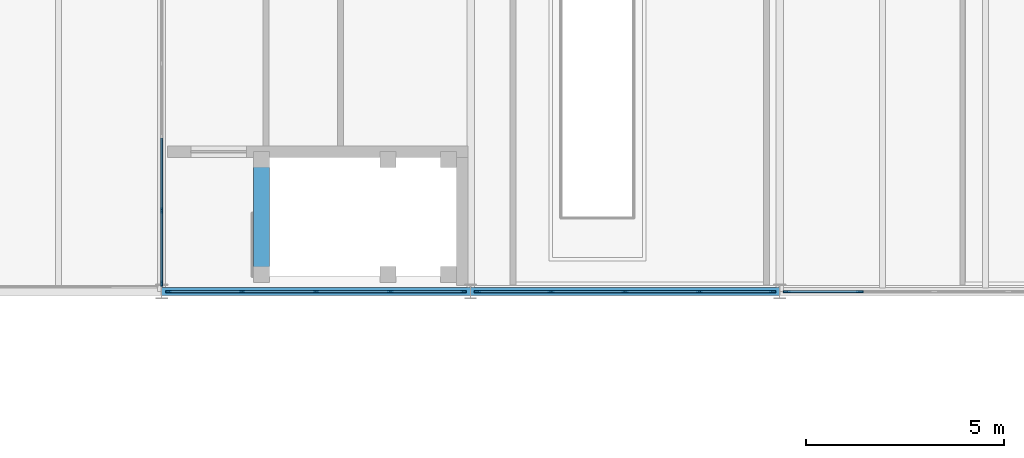
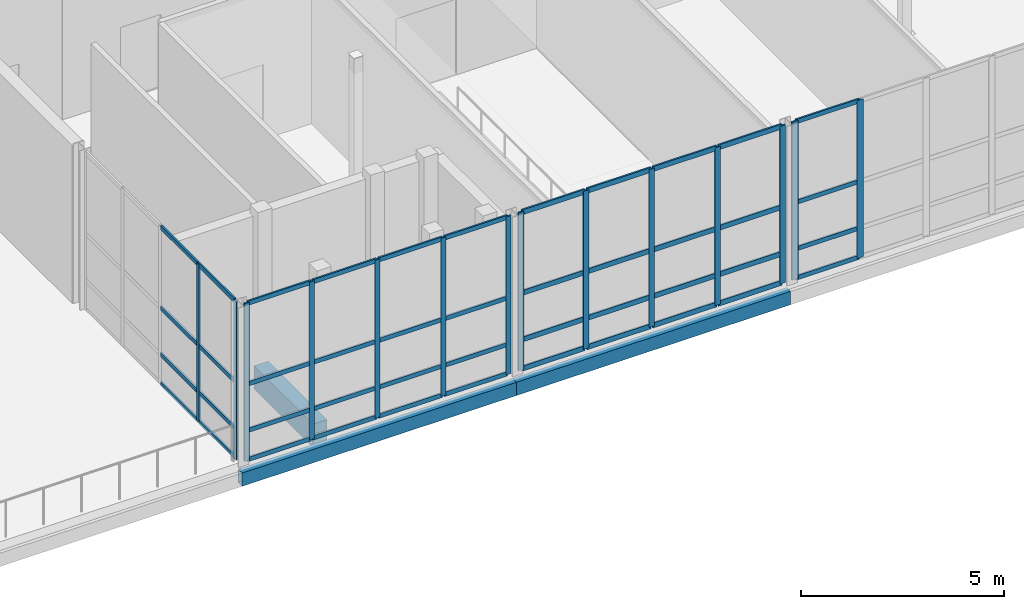
# One storey, part 63 of 138: 58 members, 3 beams, 4 elements without a shape of their own.
"""IFC4 building model written with IfcOpenShell, lengths in metres."""

import ifcopenshell
import ifcopenshell.guid

model = None  # the IFC model being written
_history = None  # IfcOwnerHistory: only IFC2X3 demands one
_inside = {}  # id of a spatial element -> (the spatial element, [elements in it])
_under = {}  # id of a project, library or spatial element -> (it, [spatial elements below it])
_declared = {}  # id of a project -> (the project, [libraries it declares])
_typed = {}  # id of a type object -> (the type object, [elements of that type])
_made_of = {}  # id of a material, layer set ... -> (it, [elements and type objects made of it])


def new_model(schema):
    """Start an empty IFC model of exactly this schema.

    Asked for "IFC4X3", IfcOpenShell would pick the latest addendum, in which some entities
    have other attributes; the version numbers below select the first issue.
    IFC2X3 requires an IfcOwnerHistory on every rooted entity: one is made here for all.
    """
    global model, _history
    if schema == "IFC4X3":
        model = ifcopenshell.file(schema_version=(4, 3, 0, 0))
    else:
        model = ifcopenshell.file(schema=schema)
    _inside.clear()
    _under.clear()
    _declared.clear()
    _typed.clear()
    _made_of.clear()
    _history = None
    if model.schema == "IFC2X3":
        org = make("IfcOrganization", Name="unknown")
        user = make(
            "IfcPersonAndOrganization",
            ThePerson=make("IfcPerson", FamilyName="unknown"),
            TheOrganization=org,
        )
        app = make(
            "IfcApplication",
            ApplicationDeveloper=org,
            Version="unknown",
            ApplicationFullName="unknown",
            ApplicationIdentifier="unknown",
        )
        _history = make(
            "IfcOwnerHistory",
            OwningUser=user,
            OwningApplication=app,
            ChangeAction="ADDED",
            CreationDate=0,
        )
    return model


def make(cls, **values):
    """One entity of the class cls with the attributes given. An attribute that is None is left unset."""
    return model.create_entity(
        cls, **{name: value for name, value in values.items() if value is not None}
    )


def rooted(cls, **values):
    """An entity with a GlobalId (a new one), such as an element, a storey or a relation."""
    return make(cls, GlobalId=ifcopenshell.guid.new(), OwnerHistory=_history, **values)


def si_unit(unit_type, name, prefix=None):
    """IfcSIUnit, for example si_unit("LENGTHUNIT", "METRE", prefix="MILLI")."""
    return make("IfcSIUnit", UnitType=unit_type, Prefix=prefix, Name=name)


def assignment(units):
    """IfcUnitAssignment: the units of a project."""
    return None if units is None else make("IfcUnitAssignment", Units=units)


def point(xyz):
    """IfcCartesianPoint."""
    return None if xyz is None else make("IfcCartesianPoint", Coordinates=xyz)


def direction(xyz):
    """IfcDirection."""
    return None if xyz is None else make("IfcDirection", DirectionRatios=xyz)


def frame(location, z_axis=None, x_axis=None):
    """IfcAxis2Placement3D, a coordinate frame: its origin and axes. An axis left out is left unset."""
    return make(
        "IfcAxis2Placement3D",
        Location=point(location),
        Axis=direction(z_axis),
        RefDirection=direction(x_axis),
    )


def frame_2d(location, x_axis=None):
    """IfcAxis2Placement2D, a coordinate frame in the plane: its origin and x axis."""
    return make(
        "IfcAxis2Placement2D", Location=point(location), RefDirection=direction(x_axis)
    )


def origin():
    """The frame at (0, 0, 0) with its axes left unset."""
    return frame((0.0, 0.0, 0.0))


def origin_2d():
    """The frame at (0, 0) in the plane with its x axis left unset."""
    return frame_2d((0.0, 0.0))


def place(relative_to, where):
    """IfcLocalPlacement: puts the frame where relative to a parent placement (None: the world)."""
    return make(
        "IfcLocalPlacement", PlacementRelTo=relative_to, RelativePlacement=where
    )


def context(
    kind, dimensions, precision=None, world=None, true_north=None, identifier=None
):
    """IfcGeometricRepresentationContext, for example the 3D "Model" context."""
    return make(
        "IfcGeometricRepresentationContext",
        ContextIdentifier=identifier,
        ContextType=kind,
        CoordinateSpaceDimension=dimensions,
        Precision=precision,
        WorldCoordinateSystem=world,
        TrueNorth=true_north,
    )


def subcontext(parent, identifier, kind, view, scale=None):
    """IfcGeometricRepresentationSubContext, for example "Body" below "Model"."""
    return make(
        "IfcGeometricRepresentationSubContext",
        ContextIdentifier=identifier,
        ContextType=kind,
        ParentContext=parent,
        TargetScale=scale,
        TargetView=view,
    )


def project(units=None, contexts=None):
    """IfcProject with its units and contexts."""
    return rooted(
        "IfcProject",
        Name="project",
        RepresentationContexts=contexts,
        UnitsInContext=assignment(units),
    )


def spatial(cls, under=None, at=None, **own):
    """A site, building, storey or space (cls), placed at a placement, below another one or the project."""
    s = rooted(cls, ObjectPlacement=at, **own)
    if under is not None:
        _under.setdefault(under.id(), (under, []))[1].append(s)
    return s


def profile(cls, at=None, kind="AREA", **sizes):
    """A parametric profile (cls). Its sizes go by their IFC names, for example OverallWidth=200.0."""
    return make(cls, ProfileType=kind, Position=at, **sizes)


def rectangle(**sizes):
    """IfcRectangleProfileDef."""
    return profile("IfcRectangleProfileDef", **sizes)


def hollow_rectangle(**sizes):
    """IfcRectangleHollowProfileDef."""
    return profile("IfcRectangleHollowProfileDef", **sizes)


def extrude(swept, where, along, depth):
    """IfcExtrudedAreaSolid: the profile swept, set in the frame where, extruded along a direction by depth."""
    return make(
        "IfcExtrudedAreaSolid",
        SweptArea=swept,
        Position=where,
        ExtrudedDirection=direction(along),
        Depth=depth,
    )


def shape(context_of_items, identifier, shape_type, items):
    """IfcShapeRepresentation: the items that make up one representation, for example the "Body"."""
    return make(
        "IfcShapeRepresentation",
        ContextOfItems=context_of_items,
        RepresentationIdentifier=identifier,
        RepresentationType=shape_type,
        Items=items,
    )


def material(Name=None, Category=None):
    """IfcMaterial."""
    return make("IfcMaterial", Name=Name, Category=Category)


def layer(
    of_material, thickness, ventilated=None, Name=None, Category=None, Priority=None
):
    """IfcMaterialLayer: one layer of a wall or slab, of a material (None: an air gap)."""
    return make(
        "IfcMaterialLayer",
        Material=of_material,
        LayerThickness=thickness,
        IsVentilated=ventilated,
        Name=Name,
        Category=Category,
        Priority=Priority,
    )


def layer_set(layers, Name=None):
    """IfcMaterialLayerSet."""
    return make("IfcMaterialLayerSet", MaterialLayers=layers, LayerSetName=Name)


def material_profile(
    of_material, cross_section, Name=None, Category=None, Priority=None
):
    """IfcMaterialProfile: a cross section and its material."""
    return make(
        "IfcMaterialProfile",
        Name=Name,
        Material=of_material,
        Profile=cross_section,
        Priority=Priority,
        Category=Category,
    )


def profile_set(profiles, Name=None, composite=None):
    """IfcMaterialProfileSet."""
    return make(
        "IfcMaterialProfileSet",
        Name=Name,
        MaterialProfiles=profiles,
        CompositeProfile=composite,
    )


def made_of(thing, what):
    """Note that an element or type object is made of a material, layer set ...; save() writes the relation."""
    if what is not None:
        _made_of.setdefault(what.id(), (what, []))[1].append(thing)
    return thing


def type_object(cls, material=None, **own):
    """A type object (cls), such as IfcWallType, which elements share."""
    return made_of(rooted(cls, **own), material)


def element(
    cls,
    number,
    at=None,
    inside=None,
    cuts=None,
    type_object=None,
    material=None,
    context=None,
    identifier="Body",
    shape_type=None,
    held_by="IfcProductDefinitionShape",
    body=None,
    shapes=None,
    **own,
):
    """One element of the class cls, such as IfcWall. Its Tag is "e" and its number.

    at: its placement. inside: the storey or other place that contains it. cuts: it is an
    opening in that element (IfcRelVoidsElement). A single representation is given by context,
    identifier, shape_type and body (its items); several are given by shapes. held_by: the class
    of the entity that holds the representations. save() writes the other relations.
    """
    e = rooted(cls, Tag="e%d" % number, ObjectPlacement=at, **own)
    if body is not None:
        shapes = [shape(context, identifier, shape_type, body)]
    if shapes is not None:
        e.Representation = make(held_by, Representations=shapes)
    if inside is not None:
        _inside.setdefault(inside.id(), (inside, []))[1].append(e)
    if cuts is not None:
        rooted(
            "IfcRelVoidsElement", RelatingBuildingElement=cuts, RelatedOpeningElement=e
        )
    if type_object is not None:
        _typed.setdefault(type_object.id(), (type_object, []))[1].append(e)
    return made_of(e, material)


def aggregate(whole, parts):
    """IfcRelAggregates: a whole, such as a stair, and the parts it consists of."""
    return rooted("IfcRelAggregates", RelatingObject=whole, RelatedObjects=parts)


def save(model, path):
    """Write the relations noted so far, then the file.

    IfcRelAggregates (storeys below a building ...), IfcRelContainedInSpatialStructure (elements
    in a storey), IfcRelDefinesByType, IfcRelAssociatesMaterial and IfcRelDeclares: one each for
    every whole, place, type object, material and project.
    """
    for whole, parts in _under.values():
        aggregate(whole, parts)
    for where, things in _inside.values():
        rooted(
            "IfcRelContainedInSpatialStructure",
            RelatedElements=things,
            RelatingStructure=where,
        )
    for kind, things in _typed.values():
        rooted("IfcRelDefinesByType", RelatedObjects=things, RelatingType=kind)
    for what, things in _made_of.values():
        rooted("IfcRelAssociatesMaterial", RelatedObjects=things, RelatingMaterial=what)
    for by, libraries in _declared.values():
        rooted("IfcRelDeclares", RelatingContext=by, RelatedDefinitions=libraries)
    model.write(path)


model = new_model("IFC4")

# Units and contexts
model_context = context("Model", 3, precision=1e-05, world=origin(), true_north=direction((0.0, 1.0)))
body_context = subcontext(model_context, "Body", "Model", "MODEL_VIEW")
ifc_project = project(units=[si_unit("LENGTHUNIT", "METRE"), si_unit("AREAUNIT", "SQUARE_METRE"), si_unit("VOLUMEUNIT", "CUBIC_METRE"), si_unit("PLANEANGLEUNIT", "RADIAN"), si_unit("MASSUNIT", "GRAM", prefix="KILO")], contexts=[model_context])

# Site, building, storey
site_placement = place(None, origin())
site = spatial("IfcSite", under=ifc_project, at=site_placement, CompositionType="ELEMENT")
building_placement = place(site_placement, origin())
building = spatial("IfcBuilding", under=site, at=building_placement, Name="Celorna Specialist Clinic", CompositionType="ELEMENT")
storey_placement = place(building_placement, frame((0.0, 0.0, 4.800048828125)))
storey = spatial("IfcBuildingStorey", under=building, at=storey_placement, Name="L01", CompositionType="ELEMENT", Elevation=4.800048828125)

# Beams
ifc_material_1 = material(Name="Steel S355", Category="steel")
ifc_material_profile_1 = material_profile(ifc_material_1, hollow_rectangle(XDim=0.199951171875, YDim=0.39990234375, WallThickness=0.011962890625, at=origin_2d()), Name="RHS 200x400x12")
ifc_profile_set_1 = profile_set([ifc_material_profile_1], Name="Steel S355")
beam_type_1 = type_object("IfcBeamType", Name="BM-15", PredefinedType="SPANDREL", material=ifc_profile_set_1)
beam_1_placement = place(storey_placement, frame((132.60009765625, 60.0, -0.4599609375), z_axis=(1.0, 0.0, 0.0), x_axis=(0.0, 1.0, 0.0)))
element("IfcBeam", 1, at=beam_1_placement, inside=storey, type_object=beam_type_1, Name="Spandrel beam BM-15 #610", PredefinedType="SPANDREL", context=body_context, shape_type="SweptSolid", body=[
    extrude(hollow_rectangle(XDim=0.199951171875, YDim=0.39990234375, WallThickness=0.011962890625, at=origin_2d()), origin(), (0.0, 0.0, 1.0), 7.7998046875),
])
beam_2_placement = place(storey_placement, frame((140.39990234375, 60.0, -0.4599609375), z_axis=(1.0, 0.0, 0.0), x_axis=(0.0, 1.0, 0.0)))
element("IfcBeam", 2, at=beam_2_placement, inside=storey, type_object=beam_type_1, Name="Spandrel beam BM-15 #611", PredefinedType="SPANDREL", context=body_context, shape_type="SweptSolid", body=[
    extrude(hollow_rectangle(XDim=0.199951171875, YDim=0.39990234375, WallThickness=0.011962890625, at=origin_2d()), origin(), (0.0, 0.0, 1.0), 7.800048828125),
])
ifc_material_2 = material(Name="Concrete C35/45", Category="concrete")
ifc_material_profile_2 = material_profile(ifc_material_2, rectangle(XDim=0.39990234375, YDim=0.699951171875, at=origin_2d()), Name="RC 400x700")
ifc_profile_set_2 = profile_set([ifc_material_profile_2], Name="Concrete C35/45")
beam_type_2 = type_object("IfcBeamType", Name="BM-19", PredefinedType="BEAM", material=ifc_profile_set_2)
beam_3_placement = place(storey_placement, frame((135.1201171875, 60.429931640625, -0.275146484375), z_axis=(0.0, 1.0, 0.0), x_axis=(-1.0, 0.0, 0.0)))
element("IfcBeam", 3, at=beam_3_placement, inside=storey, type_object=beam_type_2, Name="Stair ST-13 floor landing trimmer beam L01", PredefinedType="BEAM", context=body_context, shape_type="SweptSolid", body=[
    extrude(rectangle(XDim=0.39990234375, YDim=0.699951171875, at=origin_2d()), origin(), (0.0, 0.0, 1.0), 2.900146484375),
])

# Curtain wall, members
ifc_material_3 = material(Name="Thermally broken aluminium and solar-control glass curtain wall", Category="aluminium")
ifc_layer_1 = layer(ifc_material_3, 0.159912109375, Name="Thermally broken aluminium and solar-control glass curtain wall")
ifc_layer_set_1 = layer_set([ifc_layer_1], Name="Thermally broken aluminium and solar-control glass curtain wall")
curtain_wall_type_1 = type_object("IfcCurtainWallType", Name="CW-41", PredefinedType="NOTDEFINED", material=ifc_layer_set_1)
curtain_wall_1_placement = place(storey_placement, origin())
curtain_wall_1 = element("IfcCurtainWall", 4, at=curtain_wall_1_placement, inside=storey, type_object=curtain_wall_type_1, Name="Curtain wall CW-41 #76", PredefinedType="NOTDEFINED")
ifc_material_4 = material(Name="Anodized aluminium mullion", Category="aluminium")
ifc_material_profile_3 = material_profile(ifc_material_4, rectangle(XDim=0.050048828125, YDim=0.159912109375, at=origin_2d()), Name="ALU MULLION 50x160")
ifc_profile_set_3 = profile_set([ifc_material_profile_3], Name="Anodized aluminium mullion")
member_type_1 = type_object("IfcMemberType", Name="ML-01", PredefinedType="MULLION", material=ifc_profile_set_3)
member_1_placement = place(storey_placement, frame((148.02099609375, 60.0, 0.0), z_axis=(0.0, 0.0, 1.0), x_axis=(0.0, -1.0, 0.0)))
member_1 = element("IfcMember", 5, at=member_1_placement, type_object=member_type_1, Name="CW-41 mullion 1", PredefinedType="MULLION", context=body_context, shape_type="SweptSolid", body=[
    extrude(rectangle(XDim=0.050048828125, YDim=0.159912109375, at=origin_2d()), origin(), (0.0, 0.0, 1.0), 4.75),
])
member_2_placement = place(storey_placement, frame((146.173095703125, 60.0, 0.0), z_axis=(0.0, 0.0, 1.0), x_axis=(0.0, -1.0, 0.0)))
member_2 = element("IfcMember", 6, at=member_2_placement, type_object=member_type_1, Name="CW-41 mullion 2", PredefinedType="MULLION", context=body_context, shape_type="SweptSolid", body=[
    extrude(rectangle(XDim=0.050048828125, YDim=0.159912109375, at=origin_2d()), origin(), (0.0, 0.0, 1.0), 4.75),
])
member_3_placement = place(storey_placement, frame((144.300048828125, 60.0, 0.0), z_axis=(0.0, 0.0, 1.0), x_axis=(0.0, -1.0, 0.0)))
member_3 = element("IfcMember", 7, at=member_3_placement, type_object=member_type_1, Name="CW-41 mullion 3", PredefinedType="MULLION", context=body_context, shape_type="SweptSolid", body=[
    extrude(rectangle(XDim=0.050048828125, YDim=0.159912109375, at=origin_2d()), origin(), (0.0, 0.0, 1.0), 4.75),
])
member_4_placement = place(storey_placement, frame((142.427001953125, 60.0, 0.0), z_axis=(0.0, 0.0, 1.0), x_axis=(0.0, -1.0, 0.0)))
member_4 = element("IfcMember", 8, at=member_4_placement, type_object=member_type_1, Name="CW-41 mullion 4", PredefinedType="MULLION", context=body_context, shape_type="SweptSolid", body=[
    extrude(rectangle(XDim=0.050048828125, YDim=0.159912109375, at=origin_2d()), origin(), (0.0, 0.0, 1.0), 4.75),
])
member_5_placement = place(storey_placement, frame((140.5791015625, 60.0, 0.0), z_axis=(0.0, 0.0, 1.0), x_axis=(0.0, -1.0, 0.0)))
member_5 = element("IfcMember", 9, at=member_5_placement, type_object=member_type_1, Name="CW-41 mullion 5", PredefinedType="MULLION", context=body_context, shape_type="SweptSolid", body=[
    extrude(rectangle(XDim=0.050048828125, YDim=0.159912109375, at=origin_2d()), origin(), (0.0, 0.0, 1.0), 4.75),
])

ifc_layer_2 = layer(ifc_material_3, 0.159912109375, Name="Thermally broken aluminium and solar-control glass curtain wall")
ifc_layer_set_2 = layer_set([ifc_layer_2], Name="Thermally broken aluminium and solar-control glass curtain wall")
curtain_wall_type_2 = type_object("IfcCurtainWallType", Name="CW-42", PredefinedType="NOTDEFINED", material=ifc_layer_set_2)
curtain_wall_2_placement = place(storey_placement, origin())
curtain_wall_2 = element("IfcCurtainWall", 10, at=curtain_wall_2_placement, inside=storey, type_object=curtain_wall_type_2, Name="Curtain wall CW-42 #77", PredefinedType="NOTDEFINED")
ifc_material_profile_4 = material_profile(ifc_material_4, rectangle(XDim=0.050048828125, YDim=0.179931640625, at=origin_2d()), Name="ALU MULLION 50x180")
ifc_profile_set_4 = profile_set([ifc_material_profile_4], Name="Anodized aluminium mullion")
member_type_2 = type_object("IfcMemberType", Name="ML-02", PredefinedType="MULLION", material=ifc_profile_set_4)
member_6_placement = place(storey_placement, frame((150.22705078125, 60.0, 0.0), z_axis=(0.0, 0.0, 1.0), x_axis=(0.0, -1.0, 0.0)))
member_6 = element("IfcMember", 11, at=member_6_placement, type_object=member_type_2, Name="CW-42 mullion 4", PredefinedType="MULLION", context=body_context, shape_type="SweptSolid", body=[
    extrude(rectangle(XDim=0.050048828125, YDim=0.179931640625, at=origin_2d()), origin(), (0.0, 0.0, 1.0), 4.75),
])
member_7_placement = place(storey_placement, frame((148.37890625, 60.0, 0.0), z_axis=(0.0, 0.0, 1.0), x_axis=(0.0, -1.0, 0.0)))
member_7 = element("IfcMember", 12, at=member_7_placement, type_object=member_type_2, Name="CW-42 mullion 5", PredefinedType="MULLION", context=body_context, shape_type="SweptSolid", body=[
    extrude(rectangle(XDim=0.050048828125, YDim=0.179931640625, at=origin_2d()), origin(), (0.0, 0.0, 1.0), 4.75),
])

ifc_layer_3 = layer(ifc_material_3, 0.159912109375, Name="Thermally broken aluminium and solar-control glass curtain wall")
ifc_layer_set_3 = layer_set([ifc_layer_3], Name="Thermally broken aluminium and solar-control glass curtain wall")
curtain_wall_type_3 = type_object("IfcCurtainWallType", Name="CW-40", PredefinedType="NOTDEFINED", material=ifc_layer_set_3)
curtain_wall_3_placement = place(storey_placement, origin())
curtain_wall_3 = element("IfcCurtainWall", 13, at=curtain_wall_3_placement, inside=storey, type_object=curtain_wall_type_3, Name="Curtain wall CW-40 #75", PredefinedType="NOTDEFINED")
ifc_material_profile_5 = material_profile(ifc_material_4, rectangle(XDim=0.050048828125, YDim=0.139892578125, at=origin_2d()), Name="ALU MULLION 50x140")
ifc_profile_set_5 = profile_set([ifc_material_profile_5], Name="Anodized aluminium mullion")
member_type_3 = type_object("IfcMemberType", Name="ML-03", PredefinedType="MULLION", material=ifc_profile_set_5)
member_8_placement = place(storey_placement, frame((140.220947265625, 60.0, 0.0), z_axis=(0.0, 0.0, 1.0), x_axis=(0.0, -1.0, 0.0)))
member_8 = element("IfcMember", 14, at=member_8_placement, type_object=member_type_3, Name="CW-40 mullion 1", PredefinedType="MULLION", context=body_context, shape_type="SweptSolid", body=[
    extrude(rectangle(XDim=0.050048828125, YDim=0.139892578125, at=origin_2d()), origin(), (0.0, 0.0, 1.0), 4.75),
])
member_9_placement = place(storey_placement, frame((138.373046875, 60.0, 0.0), z_axis=(0.0, 0.0, 1.0), x_axis=(0.0, -1.0, 0.0)))
member_9 = element("IfcMember", 15, at=member_9_placement, type_object=member_type_3, Name="CW-40 mullion 2", PredefinedType="MULLION", context=body_context, shape_type="SweptSolid", body=[
    extrude(rectangle(XDim=0.050048828125, YDim=0.139892578125, at=origin_2d()), origin(), (0.0, 0.0, 1.0), 4.75),
])
member_10_placement = place(storey_placement, frame((136.5, 60.0, 0.0), z_axis=(0.0, 0.0, 1.0), x_axis=(0.0, -1.0, 0.0)))
member_10 = element("IfcMember", 16, at=member_10_placement, type_object=member_type_3, Name="CW-40 mullion 3", PredefinedType="MULLION", context=body_context, shape_type="SweptSolid", body=[
    extrude(rectangle(XDim=0.050048828125, YDim=0.139892578125, at=origin_2d()), origin(), (0.0, 0.0, 1.0), 4.75),
])
member_11_placement = place(storey_placement, frame((134.626953125, 60.0, 0.0), z_axis=(0.0, 0.0, 1.0), x_axis=(0.0, -1.0, 0.0)))
member_11 = element("IfcMember", 17, at=member_11_placement, type_object=member_type_3, Name="CW-40 mullion 4", PredefinedType="MULLION", context=body_context, shape_type="SweptSolid", body=[
    extrude(rectangle(XDim=0.050048828125, YDim=0.139892578125, at=origin_2d()), origin(), (0.0, 0.0, 1.0), 4.75),
])
member_12_placement = place(storey_placement, frame((132.779052734375, 60.0, 0.0), z_axis=(0.0, 0.0, 1.0), x_axis=(0.0, -1.0, 0.0)))
member_12 = element("IfcMember", 18, at=member_12_placement, type_object=member_type_3, Name="CW-40 mullion 5", PredefinedType="MULLION", context=body_context, shape_type="SweptSolid", body=[
    extrude(rectangle(XDim=0.050048828125, YDim=0.139892578125, at=origin_2d()), origin(), (0.0, 0.0, 1.0), 4.75),
])

ifc_layer_4 = layer(ifc_material_3, 0.159912109375, Name="Thermally broken aluminium and solar-control glass curtain wall")
ifc_layer_set_4 = layer_set([ifc_layer_4], Name="Thermally broken aluminium and solar-control glass curtain wall")
curtain_wall_type_4 = type_object("IfcCurtainWallType", Name="CW-44", PredefinedType="NOTDEFINED", material=ifc_layer_set_4)
curtain_wall_4_placement = place(storey_placement, origin())
curtain_wall_4 = element("IfcCurtainWall", 19, at=curtain_wall_4_placement, inside=storey, type_object=curtain_wall_type_4, Name="Curtain wall CW-44 #84", PredefinedType="NOTDEFINED")
member_13_placement = place(storey_placement, frame((132.60009765625, 60.208984375, 0.0), z_axis=(0.0, 0.0, 1.0), x_axis=(-1.0, 0.0, 0.0)))
member_13 = element("IfcMember", 20, at=member_13_placement, type_object=member_type_3, Name="CW-44 mullion 1", PredefinedType="MULLION", context=body_context, shape_type="SweptSolid", body=[
    extrude(rectangle(XDim=0.050048828125, YDim=0.139892578125, at=origin_2d()), origin(), (0.0, 0.0, 1.0), 4.75),
])
member_14_placement = place(storey_placement, frame((132.60009765625, 62.0419921875, 0.0), z_axis=(0.0, 0.0, 1.0), x_axis=(-1.0, 0.0, 0.0)))
member_14 = element("IfcMember", 21, at=member_14_placement, type_object=member_type_3, Name="CW-44 mullion 2", PredefinedType="MULLION", context=body_context, shape_type="SweptSolid", body=[
    extrude(rectangle(XDim=0.050048828125, YDim=0.139892578125, at=origin_2d()), origin(), (0.0, 0.0, 1.0), 4.75),
])

# Member
ifc_material_5 = material(Name="Anodized aluminium transom", Category="aluminium")
ifc_material_profile_6 = material_profile(ifc_material_5, rectangle(XDim=0.050048828125, YDim=0.1298828125, at=origin_2d()), Name="ALU TRANSOM 50x130")
ifc_profile_set_6 = profile_set([ifc_material_profile_6], Name="Anodized aluminium transom")
member_type_4 = type_object("IfcMemberType", Name="TR-01", PredefinedType="USERDEFINED", material=ifc_profile_set_6)
member_15_placement = place(storey_placement, frame((140.196044921875, 60.0, 0.02490234375), z_axis=(-1.0, 0.0, 0.0), x_axis=(0.0, -1.0, 0.0)))
member_15 = element("IfcMember", 22, at=member_15_placement, type_object=member_type_4, Name="CW-40 transom 1.1", ObjectType="TRANSOM", PredefinedType="USERDEFINED", context=body_context, shape_type="SweptSolid", body=[
    extrude(rectangle(XDim=0.050048828125, YDim=0.1298828125, at=origin_2d()), origin(), (0.0, 0.0, 1.0), 1.798095703125),
])

member_16_placement = place(storey_placement, frame((140.196044921875, 60.0, 0.89990234375), z_axis=(-1.0, 0.0, 0.0), x_axis=(0.0, -1.0, 0.0)))
member_16 = element("IfcMember", 23, at=member_16_placement, type_object=member_type_4, Name="CW-40 transom 1.2", ObjectType="TRANSOM", PredefinedType="USERDEFINED", context=body_context, shape_type="SweptSolid", body=[
    extrude(rectangle(XDim=0.050048828125, YDim=0.1298828125, at=origin_2d()), origin(), (0.0, 0.0, 1.0), 1.798095703125),
])

member_17_placement = place(storey_placement, frame((140.196044921875, 60.0, 2.300048828125), z_axis=(-1.0, 0.0, 0.0), x_axis=(0.0, -1.0, 0.0)))
member_17 = element("IfcMember", 24, at=member_17_placement, type_object=member_type_4, Name="CW-40 transom 1.3", ObjectType="TRANSOM", PredefinedType="USERDEFINED", context=body_context, shape_type="SweptSolid", body=[
    extrude(rectangle(XDim=0.050048828125, YDim=0.1298828125, at=origin_2d()), origin(), (0.0, 0.0, 1.0), 1.798095703125),
])

member_18_placement = place(storey_placement, frame((140.196044921875, 60.0, 4.724853515625), z_axis=(-1.0, 0.0, 0.0), x_axis=(0.0, -1.0, 0.0)))
member_18 = element("IfcMember", 25, at=member_18_placement, type_object=member_type_4, Name="CW-40 transom 1.4", ObjectType="TRANSOM", PredefinedType="USERDEFINED", context=body_context, shape_type="SweptSolid", body=[
    extrude(rectangle(XDim=0.050048828125, YDim=0.1298828125, at=origin_2d()), origin(), (0.0, 0.0, 1.0), 1.798095703125),
])

member_19_placement = place(storey_placement, frame((138.347900390625, 60.0, 0.02490234375), z_axis=(-1.0, 0.0, 0.0), x_axis=(0.0, -1.0, 0.0)))
member_19 = element("IfcMember", 26, at=member_19_placement, type_object=member_type_4, Name="CW-40 transom 2.1", ObjectType="TRANSOM", PredefinedType="USERDEFINED", context=body_context, shape_type="SweptSolid", body=[
    extrude(rectangle(XDim=0.050048828125, YDim=0.1298828125, at=origin_2d()), origin(), (0.0, 0.0, 1.0), 1.822998046875),
])

member_20_placement = place(storey_placement, frame((138.347900390625, 60.0, 0.89990234375), z_axis=(-1.0, 0.0, 0.0), x_axis=(0.0, -1.0, 0.0)))
member_20 = element("IfcMember", 27, at=member_20_placement, type_object=member_type_4, Name="CW-40 transom 2.2", ObjectType="TRANSOM", PredefinedType="USERDEFINED", context=body_context, shape_type="SweptSolid", body=[
    extrude(rectangle(XDim=0.050048828125, YDim=0.1298828125, at=origin_2d()), origin(), (0.0, 0.0, 1.0), 1.822998046875),
])

member_21_placement = place(storey_placement, frame((138.347900390625, 60.0, 2.300048828125), z_axis=(-1.0, 0.0, 0.0), x_axis=(0.0, -1.0, 0.0)))
member_21 = element("IfcMember", 28, at=member_21_placement, type_object=member_type_4, Name="CW-40 transom 2.3", ObjectType="TRANSOM", PredefinedType="USERDEFINED", context=body_context, shape_type="SweptSolid", body=[
    extrude(rectangle(XDim=0.050048828125, YDim=0.1298828125, at=origin_2d()), origin(), (0.0, 0.0, 1.0), 1.822998046875),
])

member_22_placement = place(storey_placement, frame((138.347900390625, 60.0, 4.724853515625), z_axis=(-1.0, 0.0, 0.0), x_axis=(0.0, -1.0, 0.0)))
member_22 = element("IfcMember", 29, at=member_22_placement, type_object=member_type_4, Name="CW-40 transom 2.4", ObjectType="TRANSOM", PredefinedType="USERDEFINED", context=body_context, shape_type="SweptSolid", body=[
    extrude(rectangle(XDim=0.050048828125, YDim=0.1298828125, at=origin_2d()), origin(), (0.0, 0.0, 1.0), 1.822998046875),
])

member_23_placement = place(storey_placement, frame((136.47509765625, 60.0, 0.02490234375), z_axis=(-1.0, 0.0, 0.0), x_axis=(0.0, -1.0, 0.0)))
member_23 = element("IfcMember", 30, at=member_23_placement, type_object=member_type_4, Name="CW-40 transom 3.1", ObjectType="TRANSOM", PredefinedType="USERDEFINED", context=body_context, shape_type="SweptSolid", body=[
    extrude(rectangle(XDim=0.050048828125, YDim=0.1298828125, at=origin_2d()), origin(), (0.0, 0.0, 1.0), 1.822998046875),
])

member_24_placement = place(storey_placement, frame((136.47509765625, 60.0, 0.89990234375), z_axis=(-1.0, 0.0, 0.0), x_axis=(0.0, -1.0, 0.0)))
member_24 = element("IfcMember", 31, at=member_24_placement, type_object=member_type_4, Name="CW-40 transom 3.2", ObjectType="TRANSOM", PredefinedType="USERDEFINED", context=body_context, shape_type="SweptSolid", body=[
    extrude(rectangle(XDim=0.050048828125, YDim=0.1298828125, at=origin_2d()), origin(), (0.0, 0.0, 1.0), 1.822998046875),
])

member_25_placement = place(storey_placement, frame((136.47509765625, 60.0, 2.300048828125), z_axis=(-1.0, 0.0, 0.0), x_axis=(0.0, -1.0, 0.0)))
member_25 = element("IfcMember", 32, at=member_25_placement, type_object=member_type_4, Name="CW-40 transom 3.3", ObjectType="TRANSOM", PredefinedType="USERDEFINED", context=body_context, shape_type="SweptSolid", body=[
    extrude(rectangle(XDim=0.050048828125, YDim=0.1298828125, at=origin_2d()), origin(), (0.0, 0.0, 1.0), 1.822998046875),
])

member_26_placement = place(storey_placement, frame((136.47509765625, 60.0, 4.724853515625), z_axis=(-1.0, 0.0, 0.0), x_axis=(0.0, -1.0, 0.0)))
member_26 = element("IfcMember", 33, at=member_26_placement, type_object=member_type_4, Name="CW-40 transom 3.4", ObjectType="TRANSOM", PredefinedType="USERDEFINED", context=body_context, shape_type="SweptSolid", body=[
    extrude(rectangle(XDim=0.050048828125, YDim=0.1298828125, at=origin_2d()), origin(), (0.0, 0.0, 1.0), 1.822998046875),
])

member_27_placement = place(storey_placement, frame((134.60205078125, 60.0, 0.02490234375), z_axis=(-1.0, 0.0, 0.0), x_axis=(0.0, -1.0, 0.0)))
member_27 = element("IfcMember", 34, at=member_27_placement, type_object=member_type_4, Name="CW-40 transom 4.1", ObjectType="TRANSOM", PredefinedType="USERDEFINED", context=body_context, shape_type="SweptSolid", body=[
    extrude(rectangle(XDim=0.050048828125, YDim=0.1298828125, at=origin_2d()), origin(), (0.0, 0.0, 1.0), 1.798095703125),
])

member_28_placement = place(storey_placement, frame((134.60205078125, 60.0, 0.89990234375), z_axis=(-1.0, 0.0, 0.0), x_axis=(0.0, -1.0, 0.0)))
member_28 = element("IfcMember", 35, at=member_28_placement, type_object=member_type_4, Name="CW-40 transom 4.2", ObjectType="TRANSOM", PredefinedType="USERDEFINED", context=body_context, shape_type="SweptSolid", body=[
    extrude(rectangle(XDim=0.050048828125, YDim=0.1298828125, at=origin_2d()), origin(), (0.0, 0.0, 1.0), 1.798095703125),
])

member_29_placement = place(storey_placement, frame((134.60205078125, 60.0, 2.300048828125), z_axis=(-1.0, 0.0, 0.0), x_axis=(0.0, -1.0, 0.0)))
member_29 = element("IfcMember", 36, at=member_29_placement, type_object=member_type_4, Name="CW-40 transom 4.3", ObjectType="TRANSOM", PredefinedType="USERDEFINED", context=body_context, shape_type="SweptSolid", body=[
    extrude(rectangle(XDim=0.050048828125, YDim=0.1298828125, at=origin_2d()), origin(), (0.0, 0.0, 1.0), 1.798095703125),
])

member_30_placement = place(storey_placement, frame((134.60205078125, 60.0, 4.724853515625), z_axis=(-1.0, 0.0, 0.0), x_axis=(0.0, -1.0, 0.0)))
member_30 = element("IfcMember", 37, at=member_30_placement, type_object=member_type_4, Name="CW-40 transom 4.4", ObjectType="TRANSOM", PredefinedType="USERDEFINED", context=body_context, shape_type="SweptSolid", body=[
    extrude(rectangle(XDim=0.050048828125, YDim=0.1298828125, at=origin_2d()), origin(), (0.0, 0.0, 1.0), 1.798095703125),
])

aggregate(curtain_wall_3, [member_8, member_9, member_10, member_11, member_12, member_15, member_16, member_17, member_18, member_19, member_20, member_21, member_22, member_23, member_24, member_25, member_26, member_27, member_28, member_29, member_30])

member_31_placement = place(storey_placement, frame((150.201904296875, 60.0, 0.02490234375), z_axis=(-1.0, 0.0, 0.0), x_axis=(0.0, -1.0, 0.0)))
member_31 = element("IfcMember", 38, at=member_31_placement, type_object=member_type_4, Name="CW-42 transom 4.1", ObjectType="TRANSOM", PredefinedType="USERDEFINED", context=body_context, shape_type="SweptSolid", body=[
    extrude(rectangle(XDim=0.050048828125, YDim=0.1298828125, at=origin_2d()), origin(), (0.0, 0.0, 1.0), 1.7978515625),
])

member_32_placement = place(storey_placement, frame((150.201904296875, 60.0, 0.89990234375), z_axis=(-1.0, 0.0, 0.0), x_axis=(0.0, -1.0, 0.0)))
member_32 = element("IfcMember", 39, at=member_32_placement, type_object=member_type_4, Name="CW-42 transom 4.2", ObjectType="TRANSOM", PredefinedType="USERDEFINED", context=body_context, shape_type="SweptSolid", body=[
    extrude(rectangle(XDim=0.050048828125, YDim=0.1298828125, at=origin_2d()), origin(), (0.0, 0.0, 1.0), 1.7978515625),
])

member_33_placement = place(storey_placement, frame((150.201904296875, 60.0, 2.300048828125), z_axis=(-1.0, 0.0, 0.0), x_axis=(0.0, -1.0, 0.0)))
member_33 = element("IfcMember", 40, at=member_33_placement, type_object=member_type_4, Name="CW-42 transom 4.3", ObjectType="TRANSOM", PredefinedType="USERDEFINED", context=body_context, shape_type="SweptSolid", body=[
    extrude(rectangle(XDim=0.050048828125, YDim=0.1298828125, at=origin_2d()), origin(), (0.0, 0.0, 1.0), 1.7978515625),
])

member_34_placement = place(storey_placement, frame((150.201904296875, 60.0, 4.724853515625), z_axis=(-1.0, 0.0, 0.0), x_axis=(0.0, -1.0, 0.0)))
member_34 = element("IfcMember", 41, at=member_34_placement, type_object=member_type_4, Name="CW-42 transom 4.4", ObjectType="TRANSOM", PredefinedType="USERDEFINED", context=body_context, shape_type="SweptSolid", body=[
    extrude(rectangle(XDim=0.050048828125, YDim=0.1298828125, at=origin_2d()), origin(), (0.0, 0.0, 1.0), 1.7978515625),
])

aggregate(curtain_wall_2, [member_6, member_7, member_31, member_32, member_33, member_34])

member_35_placement = place(storey_placement, frame((132.60009765625, 60.23388671875, 0.02490234375), z_axis=(0.0, 1.0, 0.0), x_axis=(-1.0, 0.0, 0.0)))
member_35 = element("IfcMember", 42, at=member_35_placement, type_object=member_type_4, Name="CW-44 transom 1.1", ObjectType="TRANSOM", PredefinedType="USERDEFINED", context=body_context, shape_type="SweptSolid", body=[
    extrude(rectangle(XDim=0.050048828125, YDim=0.1298828125, at=origin_2d()), origin(), (0.0, 0.0, 1.0), 1.783203125),
])

member_36_placement = place(storey_placement, frame((132.60009765625, 60.23388671875, 0.89990234375), z_axis=(0.0, 1.0, 0.0), x_axis=(-1.0, 0.0, 0.0)))
member_36 = element("IfcMember", 43, at=member_36_placement, type_object=member_type_4, Name="CW-44 transom 1.2", ObjectType="TRANSOM", PredefinedType="USERDEFINED", context=body_context, shape_type="SweptSolid", body=[
    extrude(rectangle(XDim=0.050048828125, YDim=0.1298828125, at=origin_2d()), origin(), (0.0, 0.0, 1.0), 1.783203125),
])

member_37_placement = place(storey_placement, frame((132.60009765625, 60.23388671875, 2.300048828125), z_axis=(0.0, 1.0, 0.0), x_axis=(-1.0, 0.0, 0.0)))
member_37 = element("IfcMember", 44, at=member_37_placement, type_object=member_type_4, Name="CW-44 transom 1.3", ObjectType="TRANSOM", PredefinedType="USERDEFINED", context=body_context, shape_type="SweptSolid", body=[
    extrude(rectangle(XDim=0.050048828125, YDim=0.1298828125, at=origin_2d()), origin(), (0.0, 0.0, 1.0), 1.783203125),
])

member_38_placement = place(storey_placement, frame((132.60009765625, 60.23388671875, 4.724853515625), z_axis=(0.0, 1.0, 0.0), x_axis=(-1.0, 0.0, 0.0)))
member_38 = element("IfcMember", 45, at=member_38_placement, type_object=member_type_4, Name="CW-44 transom 1.4", ObjectType="TRANSOM", PredefinedType="USERDEFINED", context=body_context, shape_type="SweptSolid", body=[
    extrude(rectangle(XDim=0.050048828125, YDim=0.1298828125, at=origin_2d()), origin(), (0.0, 0.0, 1.0), 1.783203125),
])

member_39_placement = place(storey_placement, frame((132.60009765625, 62.06689453125, 0.02490234375), z_axis=(0.0, 1.0, 0.0), x_axis=(-1.0, 0.0, 0.0)))
member_39 = element("IfcMember", 46, at=member_39_placement, type_object=member_type_4, Name="CW-44 transom 2.1", ObjectType="TRANSOM", PredefinedType="USERDEFINED", context=body_context, shape_type="SweptSolid", body=[
    extrude(rectangle(XDim=0.050048828125, YDim=0.1298828125, at=origin_2d()), origin(), (0.0, 0.0, 1.0), 1.80810546875),
])

member_40_placement = place(storey_placement, frame((132.60009765625, 62.06689453125, 0.89990234375), z_axis=(0.0, 1.0, 0.0), x_axis=(-1.0, 0.0, 0.0)))
member_40 = element("IfcMember", 47, at=member_40_placement, type_object=member_type_4, Name="CW-44 transom 2.2", ObjectType="TRANSOM", PredefinedType="USERDEFINED", context=body_context, shape_type="SweptSolid", body=[
    extrude(rectangle(XDim=0.050048828125, YDim=0.1298828125, at=origin_2d()), origin(), (0.0, 0.0, 1.0), 1.80810546875),
])

member_41_placement = place(storey_placement, frame((132.60009765625, 62.06689453125, 2.300048828125), z_axis=(0.0, 1.0, 0.0), x_axis=(-1.0, 0.0, 0.0)))
member_41 = element("IfcMember", 48, at=member_41_placement, type_object=member_type_4, Name="CW-44 transom 2.3", ObjectType="TRANSOM", PredefinedType="USERDEFINED", context=body_context, shape_type="SweptSolid", body=[
    extrude(rectangle(XDim=0.050048828125, YDim=0.1298828125, at=origin_2d()), origin(), (0.0, 0.0, 1.0), 1.80810546875),
])

member_42_placement = place(storey_placement, frame((132.60009765625, 62.06689453125, 4.724853515625), z_axis=(0.0, 1.0, 0.0), x_axis=(-1.0, 0.0, 0.0)))
member_42 = element("IfcMember", 49, at=member_42_placement, type_object=member_type_4, Name="CW-44 transom 2.4", ObjectType="TRANSOM", PredefinedType="USERDEFINED", context=body_context, shape_type="SweptSolid", body=[
    extrude(rectangle(XDim=0.050048828125, YDim=0.1298828125, at=origin_2d()), origin(), (0.0, 0.0, 1.0), 1.80810546875),
])

aggregate(curtain_wall_4, [member_13, member_14, member_35, member_36, member_37, member_38, member_39, member_40, member_41, member_42])

ifc_material_profile_7 = material_profile(ifc_material_5, rectangle(XDim=0.050048828125, YDim=0.14990234375, at=origin_2d()), Name="ALU TRANSOM 50x150")
ifc_profile_set_7 = profile_set([ifc_material_profile_7], Name="Anodized aluminium transom")
member_type_5 = type_object("IfcMemberType", Name="TR-02", PredefinedType="USERDEFINED", material=ifc_profile_set_7)
member_43_placement = place(storey_placement, frame((147.99609375, 60.0, 0.02490234375), z_axis=(-1.0, 0.0, 0.0), x_axis=(0.0, -1.0, 0.0)))
member_43 = element("IfcMember", 50, at=member_43_placement, type_object=member_type_5, Name="CW-41 transom 1.1", ObjectType="TRANSOM", PredefinedType="USERDEFINED", context=body_context, shape_type="SweptSolid", body=[
    extrude(rectangle(XDim=0.050048828125, YDim=0.14990234375, at=origin_2d()), origin(), (0.0, 0.0, 1.0), 1.798095703125),
])

member_44_placement = place(storey_placement, frame((147.99609375, 60.0, 0.89990234375), z_axis=(-1.0, 0.0, 0.0), x_axis=(0.0, -1.0, 0.0)))
member_44 = element("IfcMember", 51, at=member_44_placement, type_object=member_type_5, Name="CW-41 transom 1.2", ObjectType="TRANSOM", PredefinedType="USERDEFINED", context=body_context, shape_type="SweptSolid", body=[
    extrude(rectangle(XDim=0.050048828125, YDim=0.14990234375, at=origin_2d()), origin(), (0.0, 0.0, 1.0), 1.798095703125),
])

member_45_placement = place(storey_placement, frame((147.99609375, 60.0, 2.300048828125), z_axis=(-1.0, 0.0, 0.0), x_axis=(0.0, -1.0, 0.0)))
member_45 = element("IfcMember", 52, at=member_45_placement, type_object=member_type_5, Name="CW-41 transom 1.3", ObjectType="TRANSOM", PredefinedType="USERDEFINED", context=body_context, shape_type="SweptSolid", body=[
    extrude(rectangle(XDim=0.050048828125, YDim=0.14990234375, at=origin_2d()), origin(), (0.0, 0.0, 1.0), 1.798095703125),
])

member_46_placement = place(storey_placement, frame((147.99609375, 60.0, 4.724853515625), z_axis=(-1.0, 0.0, 0.0), x_axis=(0.0, -1.0, 0.0)))
member_46 = element("IfcMember", 53, at=member_46_placement, type_object=member_type_5, Name="CW-41 transom 1.4", ObjectType="TRANSOM", PredefinedType="USERDEFINED", context=body_context, shape_type="SweptSolid", body=[
    extrude(rectangle(XDim=0.050048828125, YDim=0.14990234375, at=origin_2d()), origin(), (0.0, 0.0, 1.0), 1.798095703125),
])

member_47_placement = place(storey_placement, frame((146.14794921875, 60.0, 0.02490234375), z_axis=(-1.0, 0.0, 0.0), x_axis=(0.0, -1.0, 0.0)))
member_47 = element("IfcMember", 54, at=member_47_placement, type_object=member_type_5, Name="CW-41 transom 2.1", ObjectType="TRANSOM", PredefinedType="USERDEFINED", context=body_context, shape_type="SweptSolid", body=[
    extrude(rectangle(XDim=0.050048828125, YDim=0.14990234375, at=origin_2d()), origin(), (0.0, 0.0, 1.0), 1.822998046875),
])

member_48_placement = place(storey_placement, frame((146.14794921875, 60.0, 0.89990234375), z_axis=(-1.0, 0.0, 0.0), x_axis=(0.0, -1.0, 0.0)))
member_48 = element("IfcMember", 55, at=member_48_placement, type_object=member_type_5, Name="CW-41 transom 2.2", ObjectType="TRANSOM", PredefinedType="USERDEFINED", context=body_context, shape_type="SweptSolid", body=[
    extrude(rectangle(XDim=0.050048828125, YDim=0.14990234375, at=origin_2d()), origin(), (0.0, 0.0, 1.0), 1.822998046875),
])

member_49_placement = place(storey_placement, frame((146.14794921875, 60.0, 2.300048828125), z_axis=(-1.0, 0.0, 0.0), x_axis=(0.0, -1.0, 0.0)))
member_49 = element("IfcMember", 56, at=member_49_placement, type_object=member_type_5, Name="CW-41 transom 2.3", ObjectType="TRANSOM", PredefinedType="USERDEFINED", context=body_context, shape_type="SweptSolid", body=[
    extrude(rectangle(XDim=0.050048828125, YDim=0.14990234375, at=origin_2d()), origin(), (0.0, 0.0, 1.0), 1.822998046875),
])

member_50_placement = place(storey_placement, frame((146.14794921875, 60.0, 4.724853515625), z_axis=(-1.0, 0.0, 0.0), x_axis=(0.0, -1.0, 0.0)))
member_50 = element("IfcMember", 57, at=member_50_placement, type_object=member_type_5, Name="CW-41 transom 2.4", ObjectType="TRANSOM", PredefinedType="USERDEFINED", context=body_context, shape_type="SweptSolid", body=[
    extrude(rectangle(XDim=0.050048828125, YDim=0.14990234375, at=origin_2d()), origin(), (0.0, 0.0, 1.0), 1.822998046875),
])

member_51_placement = place(storey_placement, frame((144.27490234375, 60.0, 0.02490234375), z_axis=(-1.0, 0.0, 0.0), x_axis=(0.0, -1.0, 0.0)))
member_51 = element("IfcMember", 58, at=member_51_placement, type_object=member_type_5, Name="CW-41 transom 3.1", ObjectType="TRANSOM", PredefinedType="USERDEFINED", context=body_context, shape_type="SweptSolid", body=[
    extrude(rectangle(XDim=0.050048828125, YDim=0.14990234375, at=origin_2d()), origin(), (0.0, 0.0, 1.0), 1.822998046875),
])

member_52_placement = place(storey_placement, frame((144.27490234375, 60.0, 0.89990234375), z_axis=(-1.0, 0.0, 0.0), x_axis=(0.0, -1.0, 0.0)))
member_52 = element("IfcMember", 59, at=member_52_placement, type_object=member_type_5, Name="CW-41 transom 3.2", ObjectType="TRANSOM", PredefinedType="USERDEFINED", context=body_context, shape_type="SweptSolid", body=[
    extrude(rectangle(XDim=0.050048828125, YDim=0.14990234375, at=origin_2d()), origin(), (0.0, 0.0, 1.0), 1.822998046875),
])

member_53_placement = place(storey_placement, frame((144.27490234375, 60.0, 2.300048828125), z_axis=(-1.0, 0.0, 0.0), x_axis=(0.0, -1.0, 0.0)))
member_53 = element("IfcMember", 60, at=member_53_placement, type_object=member_type_5, Name="CW-41 transom 3.3", ObjectType="TRANSOM", PredefinedType="USERDEFINED", context=body_context, shape_type="SweptSolid", body=[
    extrude(rectangle(XDim=0.050048828125, YDim=0.14990234375, at=origin_2d()), origin(), (0.0, 0.0, 1.0), 1.822998046875),
])

member_54_placement = place(storey_placement, frame((144.27490234375, 60.0, 4.724853515625), z_axis=(-1.0, 0.0, 0.0), x_axis=(0.0, -1.0, 0.0)))
member_54 = element("IfcMember", 61, at=member_54_placement, type_object=member_type_5, Name="CW-41 transom 3.4", ObjectType="TRANSOM", PredefinedType="USERDEFINED", context=body_context, shape_type="SweptSolid", body=[
    extrude(rectangle(XDim=0.050048828125, YDim=0.14990234375, at=origin_2d()), origin(), (0.0, 0.0, 1.0), 1.822998046875),
])

member_55_placement = place(storey_placement, frame((142.402099609375, 60.0, 0.02490234375), z_axis=(-1.0, 0.0, 0.0), x_axis=(0.0, -1.0, 0.0)))
member_55 = element("IfcMember", 62, at=member_55_placement, type_object=member_type_5, Name="CW-41 transom 4.1", ObjectType="TRANSOM", PredefinedType="USERDEFINED", context=body_context, shape_type="SweptSolid", body=[
    extrude(rectangle(XDim=0.050048828125, YDim=0.14990234375, at=origin_2d()), origin(), (0.0, 0.0, 1.0), 1.798095703125),
])

member_56_placement = place(storey_placement, frame((142.402099609375, 60.0, 0.89990234375), z_axis=(-1.0, 0.0, 0.0), x_axis=(0.0, -1.0, 0.0)))
member_56 = element("IfcMember", 63, at=member_56_placement, type_object=member_type_5, Name="CW-41 transom 4.2", ObjectType="TRANSOM", PredefinedType="USERDEFINED", context=body_context, shape_type="SweptSolid", body=[
    extrude(rectangle(XDim=0.050048828125, YDim=0.14990234375, at=origin_2d()), origin(), (0.0, 0.0, 1.0), 1.798095703125),
])

member_57_placement = place(storey_placement, frame((142.402099609375, 60.0, 2.300048828125), z_axis=(-1.0, 0.0, 0.0), x_axis=(0.0, -1.0, 0.0)))
member_57 = element("IfcMember", 64, at=member_57_placement, type_object=member_type_5, Name="CW-41 transom 4.3", ObjectType="TRANSOM", PredefinedType="USERDEFINED", context=body_context, shape_type="SweptSolid", body=[
    extrude(rectangle(XDim=0.050048828125, YDim=0.14990234375, at=origin_2d()), origin(), (0.0, 0.0, 1.0), 1.798095703125),
])

member_58_placement = place(storey_placement, frame((142.402099609375, 60.0, 4.724853515625), z_axis=(-1.0, 0.0, 0.0), x_axis=(0.0, -1.0, 0.0)))
member_58 = element("IfcMember", 65, at=member_58_placement, type_object=member_type_5, Name="CW-41 transom 4.4", ObjectType="TRANSOM", PredefinedType="USERDEFINED", context=body_context, shape_type="SweptSolid", body=[
    extrude(rectangle(XDim=0.050048828125, YDim=0.14990234375, at=origin_2d()), origin(), (0.0, 0.0, 1.0), 1.798095703125),
])

aggregate(curtain_wall_1, [member_1, member_2, member_3, member_4, member_5, member_43, member_44, member_45, member_46, member_47, member_48, member_49, member_50, member_51, member_52, member_53, member_54, member_55, member_56, member_57, member_58])

save(model, "model.ifc")
